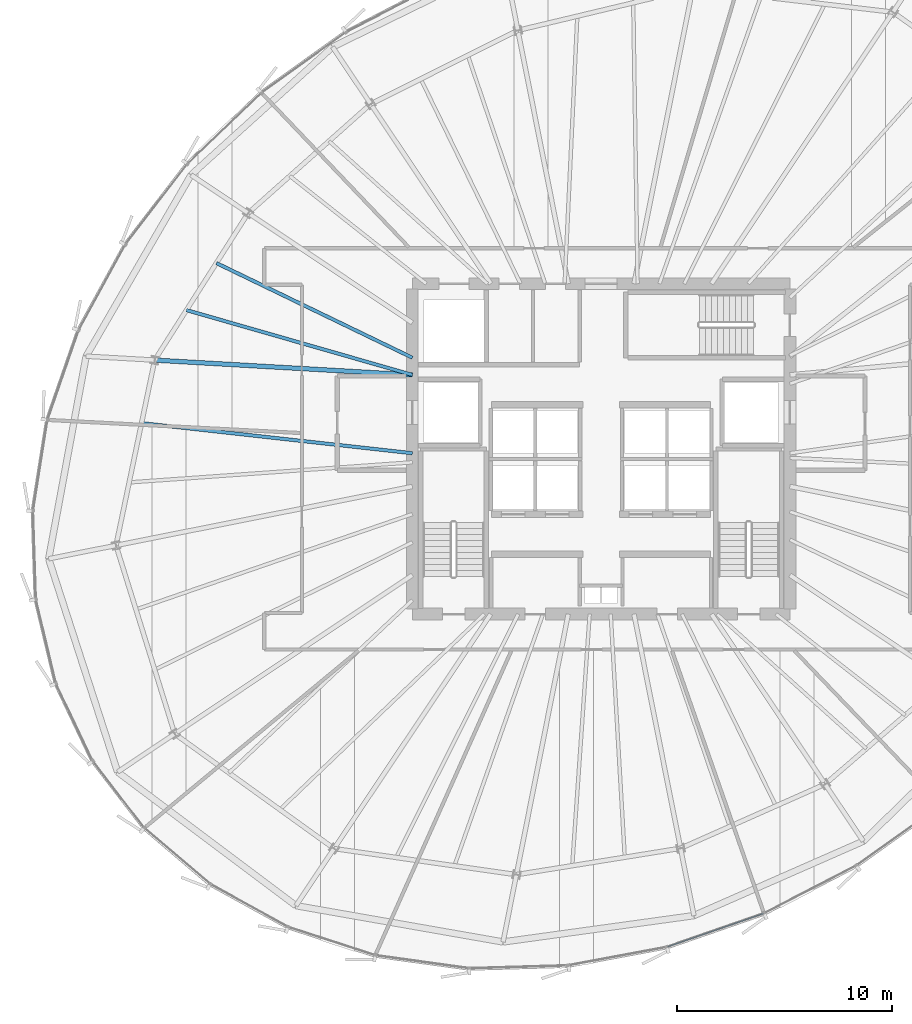
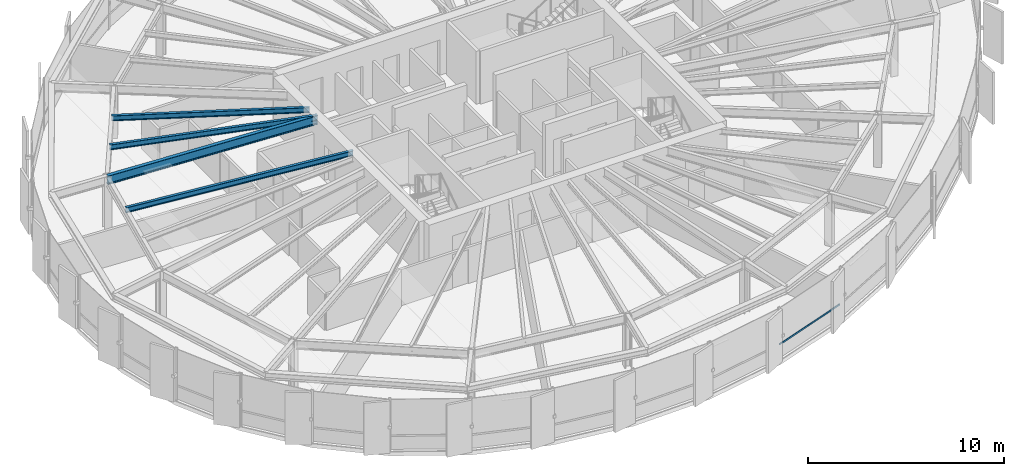
# One storey, part 11 of 32: 4 beams, 1 member, 1 element without a shape of its own.
"""IFC4 building model written with IfcOpenShell, lengths in metres."""

from ifc_helpers import new_model, si_unit, direction, frame, origin, origin_2d, place, context, subcontext, project, spatial, hollow_rectangle, i_section, extrude, source, transform, mapped, material, layer, layer_set, material_profile, profile_set, type_object, element, aggregate, save


model = new_model("IFC4")

# Units and contexts
model_context = context("Model", 3, precision=1e-05, world=origin(), true_north=direction((0.0, 1.0)))
body_context = subcontext(model_context, "Body", "Model", "MODEL_VIEW")
ifc_project = project(units=[si_unit("LENGTHUNIT", "METRE"), si_unit("AREAUNIT", "SQUARE_METRE"), si_unit("VOLUMEUNIT", "CUBIC_METRE"), si_unit("PLANEANGLEUNIT", "RADIAN"), si_unit("MASSUNIT", "GRAM", prefix="KILO"), si_unit("THERMODYNAMICTEMPERATUREUNIT", "KELVIN")], contexts=[model_context])

# Site, building, storey
site_placement = place(None, origin())
site = spatial("IfcSite", under=ifc_project, at=site_placement, CompositionType="ELEMENT")
building_placement = place(site_placement, origin())
building = spatial("IfcBuilding", under=site, at=building_placement, Name="Kethvar Cultural Tower", CompositionType="ELEMENT")
storey_placement = place(building_placement, frame((0.0, 0.0, 160.75)))
storey = spatial("IfcBuildingStorey", under=building, at=storey_placement, Name="L41", CompositionType="ELEMENT", Elevation=160.75)

# Beams
ifc_material_1 = material(Name="Steel S355J2", Category="steel")
ifc_material_profile_1 = material_profile(ifc_material_1, i_section(OverallWidth=0.2099609375, OverallDepth=0.550048828125, WebThickness=0.010986328125, FlangeThickness=0.01708984375, FilletRadius=0.02392578125, at=origin_2d()), Name="Steel S355J2 — IPE550")
ifc_profile_set_1 = profile_set([ifc_material_profile_1], Name="Steel S355J2 — IPE550")
beam_type_1 = type_object("IfcBeamType", Name="BM-IPE550", PredefinedType="BEAM", material=ifc_profile_set_1)
shared_shape_1 = source(origin(), body_context, "Body", "SweptSolid", [
    extrude(i_section(OverallWidth=0.2099609375, OverallDepth=0.550048828125, WebThickness=0.010986328125, FlangeThickness=0.01708984375, FilletRadius=0.02392578125, at=origin_2d()), origin(), (0.0, 0.0, 1.0), 12.03125),
])
beam_1_placement = place(storey_placement, frame((38.0, 31.25, 3.02294921875), z_axis=(-0.998355544741, 0.057325441856, 0.0), x_axis=(-0.057325441856, -0.998355544741, 0.0)))
element("IfcBeam", 1, at=beam_1_placement, inside=storey, type_object=beam_type_1, Name="L41 Primary Radial Beam RB-08", PredefinedType="BEAM", context=body_context, shape_type="MappedRepresentation", body=[
    mapped(shared_shape_1, transform((0.0, 0.0, 0.0), scale=1.0)),
])
ifc_material_profile_2 = material_profile(ifc_material_1, i_section(OverallWidth=0.159912109375, OverallDepth=0.330078125, WebThickness=0.007568359375, FlangeThickness=0.011474609375, FilletRadius=0.01806640625, at=origin_2d()), Name="Steel S355J2 — IPE330")
ifc_profile_set_2 = profile_set([ifc_material_profile_2], Name="Steel S355J2 — IPE330")
beam_type_2 = type_object("IfcBeamType", Name="BM-J330", PredefinedType="JOIST", material=ifc_profile_set_2)
shared_shape_2 = source(origin(), body_context, "Body", "SweptSolid", [
    extrude(i_section(OverallWidth=0.159912109375, OverallDepth=0.330078125, WebThickness=0.007568359375, FlangeThickness=0.011474609375, FilletRadius=0.01806640625, at=origin_2d()), origin(), (0.0, 0.0, 1.0), 10.1455078125),
])
beam_2_placement = place(storey_placement, frame((38.0, 32.05078125, 3.133056640625), z_axis=(-0.90045122575, 0.434956997927, 0.0), x_axis=(-0.434956997927, -0.90045122575, 0.0)))
element("IfcBeam", 2, at=beam_2_placement, inside=storey, type_object=beam_type_2, Name="L41 Composite Floor Joist J-07A", PredefinedType="JOIST", context=body_context, shape_type="MappedRepresentation", body=[
    mapped(shared_shape_2, transform((0.0, 0.0, 0.0), scale=1.0)),
])
shared_shape_3 = source(origin(), body_context, "Body", "SweptSolid", [
    extrude(i_section(OverallWidth=0.159912109375, OverallDepth=0.330078125, WebThickness=0.007568359375, FlangeThickness=0.011474609375, FilletRadius=0.01806640625, at=origin_2d()), origin(), (0.0, 0.0, 1.0), 10.95458984375),
])
beam_3_placement = place(storey_placement, frame((38.0, 31.25, 3.133056640625), z_axis=(-0.96124170623, 0.275707058676, 0.0), x_axis=(-0.275707058676, -0.96124170623, 0.0)))
element("IfcBeam", 3, at=beam_3_placement, inside=storey, type_object=beam_type_2, Name="L41 Composite Floor Joist J-07B", PredefinedType="JOIST", context=body_context, shape_type="MappedRepresentation", body=[
    mapped(shared_shape_3, transform((0.0, 0.0, 0.0), scale=1.0)),
])
shared_shape_4 = source(origin(), body_context, "Body", "SweptSolid", [
    extrude(i_section(OverallWidth=0.159912109375, OverallDepth=0.330078125, WebThickness=0.007568359375, FlangeThickness=0.011474609375, FilletRadius=0.01806640625, at=origin_2d()), origin(), (0.0, 0.0, 1.0), 12.7021484375),
])
beam_4_placement = place(storey_placement, frame((38.0, 27.60009765625, 3.133056640625), z_axis=(-0.993884906591, 0.110420978309, 0.0), x_axis=(-0.110420978309, -0.993884906591, 0.0)))
element("IfcBeam", 4, at=beam_4_placement, inside=storey, type_object=beam_type_2, Name="L41 Composite Floor Joist J-08A", PredefinedType="JOIST", context=body_context, shape_type="MappedRepresentation", body=[
    mapped(shared_shape_4, transform((0.0, 0.0, 0.0), scale=1.0)),
])

# Curtain wall, member
ifc_material_2 = material(Name="Aluminium 6063-T6", Category="aluminium")
ifc_layer = layer(ifc_material_2, 0.179931640625, Name="Aluminium 6063-T6", Category="aluminium")
ifc_layer_set = layer_set([ifc_layer], Name="Aluminium 6063-T6 (180 mm)")
curtain_wall_type = type_object("IfcCurtainWallType", Name="CW-SYS-04-Z34", PredefinedType="NOTDEFINED", material=ifc_layer_set)
curtain_wall_placement = place(storey_placement, origin())
curtain_wall = element("IfcCurtainWall", 5, at=curtain_wall_placement, inside=storey, type_object=curtain_wall_type, Name="L41 Curtain Wall Run 05", PredefinedType="NOTDEFINED")
ifc_material_profile_3 = material_profile(ifc_material_2, hollow_rectangle(XDim=0.050048828125, YDim=0.10009765625, WallThickness=0.00390625, at=origin_2d()), Name="Aluminium 6063-T6 — RHS100x50x4")
ifc_profile_set_3 = profile_set([ifc_material_profile_3], Name="Aluminium 6063-T6 — RHS100x50x4")
member_type = type_object("IfcMemberType", Name="CW-SYS-04-Z34-TRN", PredefinedType="USERDEFINED", material=ifc_profile_set_3)
shared_shape_5 = source(origin(), body_context, "Body", "SweptSolid", [
    extrude(hollow_rectangle(XDim=0.050048828125, YDim=0.10009765625, WallThickness=0.00390625, at=origin_2d()), origin(), (0.0, 0.0, 1.0), 4.72607421875),
])
member_placement = place(storey_placement, frame((49.900146484375, 4.593017578125, 0.949951171875), z_axis=(0.944882231553, 0.327410397659, 0.0), x_axis=(-0.327410397659, 0.944882231553, 0.0)))
member = element("IfcMember", 6, at=member_placement, type_object=member_type, Name="CW-L41-R05 Transom 2", ObjectType="TRANSOM", PredefinedType="USERDEFINED", context=body_context, shape_type="MappedRepresentation", body=[
    mapped(shared_shape_5, transform((0.0, 0.0, 0.0), scale=1.0)),
])
aggregate(curtain_wall, [member])

save(model, "model.ifc")
